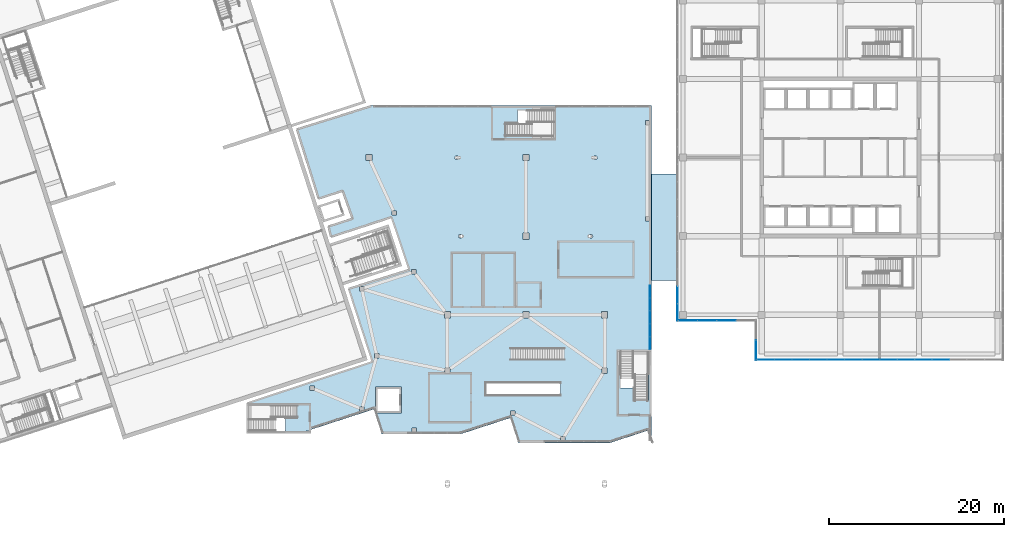
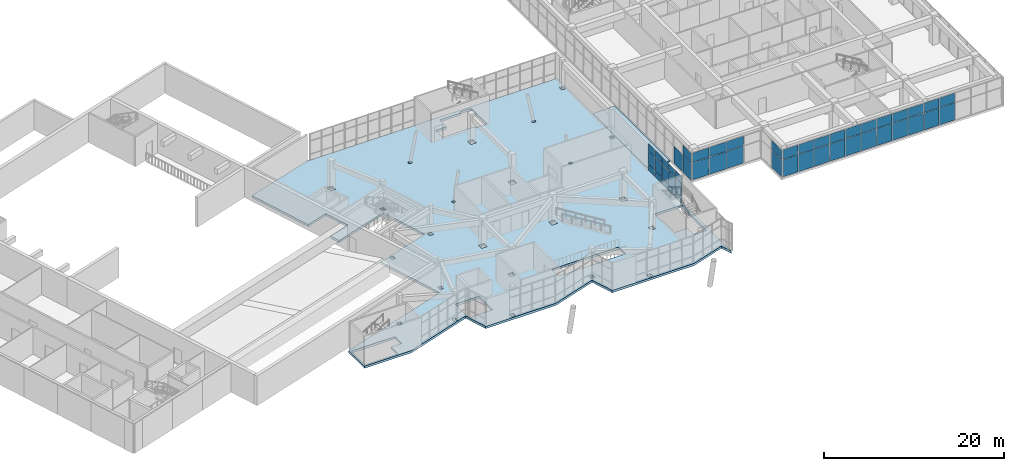
# One storey, part 48 of 66: 48 plates, 2 slabs, 5 elements without a shape of their own.
"""IFC4 building model written with IfcOpenShell, lengths in metres."""

from ifc_helpers import new_model, si_unit, direction, frame, origin, origin_2d, place, context, subcontext, project, spatial, polyline, rectangle, outline, extrude, material, layer, layer_set, type_object, element, aggregate, save


model = new_model("IFC4")

# Units and contexts
model_context = context("Model", 3, precision=1e-05, world=origin(), true_north=direction((0.0, 1.0)))
body_context = subcontext(model_context, "Body", "Model", "MODEL_VIEW")
ifc_project = project(units=[si_unit("LENGTHUNIT", "METRE"), si_unit("AREAUNIT", "SQUARE_METRE"), si_unit("VOLUMEUNIT", "CUBIC_METRE"), si_unit("PLANEANGLEUNIT", "RADIAN"), si_unit("MASSUNIT", "GRAM", prefix="KILO")], contexts=[model_context])

# Site, building, storey
site_placement = place(None, origin())
site = spatial("IfcSite", under=ifc_project, at=site_placement, CompositionType="ELEMENT")
building_placement = place(site_placement, origin())
building = spatial("IfcBuilding", under=site, at=building_placement, Name="Tuart Plaza Theatre", CompositionType="ELEMENT")
storey_placement = place(building_placement, frame((0.0, 0.0, 5.5)))
storey = spatial("IfcBuildingStorey", under=building, at=storey_placement, Name="L01", CompositionType="ELEMENT", Elevation=5.5)

# Curtain wall, plates
ifc_material_1 = material(Name="Aluminium and glass", Category="aluminium")
ifc_layer_1 = layer(ifc_material_1, 0.10009765625)
ifc_layer_set_1 = layer_set([ifc_layer_1], Name="CURTAIN WALL 1500 module")
curtain_wall_type_1 = type_object("IfcCurtainWallType", Name="CURTAIN WALL 1500 module", PredefinedType="NOTDEFINED", material=ifc_layer_set_1)
curtain_wall_1_placement = place(storey_placement, origin())
curtain_wall_1 = element("IfcCurtainWall", 1, at=curtain_wall_1_placement, inside=storey, type_object=curtain_wall_type_1, Name="CW22", PredefinedType="NOTDEFINED")
ifc_material_2 = material(Name="Glass", Category="glass")
ifc_layer_2 = layer(ifc_material_2, 0.028076171875)
ifc_layer_set_2 = layer_set([ifc_layer_2], Name="CURTAIN PANEL double glazed 28")
plate_type_1 = type_object("IfcPlateType", Name="CURTAIN PANEL double glazed 28", PredefinedType="CURTAIN_PANEL", material=ifc_layer_set_2)
plate_1_placement = place(storey_placement, frame((110.212890625, 52.75244140625, 0.0498046875), z_axis=(0.0, 0.0, 1.0), x_axis=(0.0, 1.0, 0.0)))
plate_1 = element("IfcPlate", 2, at=plate_1_placement, type_object=plate_type_1, Name="CW22 panel 1.1", PredefinedType="CURTAIN_PANEL", context=body_context, shape_type="SweptSolid", body=[
    extrude(rectangle(XDim=1.405029296875, YDim=0.028076171875, at=origin_2d()), origin(), (0.0, 0.0, 1.0), 0.824951171875),
])
plate_2_placement = place(storey_placement, frame((110.212890625, 52.75244140625, 0.925048828125), z_axis=(0.0, 0.0, 1.0), x_axis=(0.0, 1.0, 0.0)))
plate_2 = element("IfcPlate", 3, at=plate_2_placement, type_object=plate_type_1, Name="CW22 panel 1.2", PredefinedType="CURTAIN_PANEL", context=body_context, shape_type="SweptSolid", body=[
    extrude(rectangle(XDim=1.405029296875, YDim=0.028076171875, at=origin_2d()), origin(), (0.0, 0.0, 1.0), 1.75),
])
plate_3_placement = place(storey_placement, frame((110.212890625, 52.75244140625, 2.72509765625), z_axis=(0.0, 0.0, 1.0), x_axis=(0.0, 1.0, 0.0)))
plate_3 = element("IfcPlate", 4, at=plate_3_placement, type_object=plate_type_1, Name="CW22 panel 1.3", PredefinedType="CURTAIN_PANEL", context=body_context, shape_type="SweptSolid", body=[
    extrude(rectangle(XDim=1.405029296875, YDim=0.028076171875, at=origin_2d()), origin(), (0.0, 0.0, 1.0), 0.925048828125),
])
plate_4_placement = place(storey_placement, frame((110.212890625, 54.219970703125, 0.0498046875), z_axis=(0.0, 0.0, 1.0), x_axis=(0.0, 1.0, 0.0)))
plate_4 = element("IfcPlate", 5, at=plate_4_placement, type_object=plate_type_1, Name="CW22 panel 2.1", PredefinedType="CURTAIN_PANEL", context=body_context, shape_type="SweptSolid", body=[
    extrude(rectangle(XDim=1.429931640625, YDim=0.028076171875, at=origin_2d()), origin(), (0.0, 0.0, 1.0), 0.824951171875),
])
plate_5_placement = place(storey_placement, frame((110.212890625, 54.219970703125, 0.925048828125), z_axis=(0.0, 0.0, 1.0), x_axis=(0.0, 1.0, 0.0)))
plate_5 = element("IfcPlate", 6, at=plate_5_placement, type_object=plate_type_1, Name="CW22 panel 2.2", PredefinedType="CURTAIN_PANEL", context=body_context, shape_type="SweptSolid", body=[
    extrude(rectangle(XDim=1.429931640625, YDim=0.028076171875, at=origin_2d()), origin(), (0.0, 0.0, 1.0), 1.75),
])
plate_6_placement = place(storey_placement, frame((110.212890625, 54.219970703125, 2.72509765625), z_axis=(0.0, 0.0, 1.0), x_axis=(0.0, 1.0, 0.0)))
plate_6 = element("IfcPlate", 7, at=plate_6_placement, type_object=plate_type_1, Name="CW22 panel 2.3", PredefinedType="CURTAIN_PANEL", context=body_context, shape_type="SweptSolid", body=[
    extrude(rectangle(XDim=1.429931640625, YDim=0.028076171875, at=origin_2d()), origin(), (0.0, 0.0, 1.0), 0.925048828125),
])
plate_7_placement = place(storey_placement, frame((110.212890625, 55.699951171875, 0.0498046875), z_axis=(0.0, 0.0, 1.0), x_axis=(0.0, 1.0, 0.0)))
plate_7 = element("IfcPlate", 8, at=plate_7_placement, type_object=plate_type_1, Name="CW22 panel 3.1", PredefinedType="CURTAIN_PANEL", context=body_context, shape_type="SweptSolid", body=[
    extrude(rectangle(XDim=1.429931640625, YDim=0.028076171875, at=origin_2d()), origin(), (0.0, 0.0, 1.0), 0.824951171875),
])
plate_8_placement = place(storey_placement, frame((110.212890625, 55.699951171875, 0.925048828125), z_axis=(0.0, 0.0, 1.0), x_axis=(0.0, 1.0, 0.0)))
plate_8 = element("IfcPlate", 9, at=plate_8_placement, type_object=plate_type_1, Name="CW22 panel 3.2", PredefinedType="CURTAIN_PANEL", context=body_context, shape_type="SweptSolid", body=[
    extrude(rectangle(XDim=1.429931640625, YDim=0.028076171875, at=origin_2d()), origin(), (0.0, 0.0, 1.0), 1.75),
])
plate_9_placement = place(storey_placement, frame((110.212890625, 55.699951171875, 2.72509765625), z_axis=(0.0, 0.0, 1.0), x_axis=(0.0, 1.0, 0.0)))
plate_9 = element("IfcPlate", 10, at=plate_9_placement, type_object=plate_type_1, Name="CW22 panel 3.3", PredefinedType="CURTAIN_PANEL", context=body_context, shape_type="SweptSolid", body=[
    extrude(rectangle(XDim=1.429931640625, YDim=0.028076171875, at=origin_2d()), origin(), (0.0, 0.0, 1.0), 0.925048828125),
])
plate_10_placement = place(storey_placement, frame((110.212890625, 57.179931640625, 0.0498046875), z_axis=(0.0, 0.0, 1.0), x_axis=(0.0, 1.0, 0.0)))
plate_10 = element("IfcPlate", 11, at=plate_10_placement, type_object=plate_type_1, Name="CW22 panel 4.1", PredefinedType="CURTAIN_PANEL", context=body_context, shape_type="SweptSolid", body=[
    extrude(rectangle(XDim=1.429931640625, YDim=0.028076171875, at=origin_2d()), origin(), (0.0, 0.0, 1.0), 0.824951171875),
])
plate_11_placement = place(storey_placement, frame((110.212890625, 57.179931640625, 0.925048828125), z_axis=(0.0, 0.0, 1.0), x_axis=(0.0, 1.0, 0.0)))
plate_11 = element("IfcPlate", 12, at=plate_11_placement, type_object=plate_type_1, Name="CW22 panel 4.2", PredefinedType="CURTAIN_PANEL", context=body_context, shape_type="SweptSolid", body=[
    extrude(rectangle(XDim=1.429931640625, YDim=0.028076171875, at=origin_2d()), origin(), (0.0, 0.0, 1.0), 1.75),
])
plate_12_placement = place(storey_placement, frame((110.212890625, 57.179931640625, 2.72509765625), z_axis=(0.0, 0.0, 1.0), x_axis=(0.0, 1.0, 0.0)))
plate_12 = element("IfcPlate", 13, at=plate_12_placement, type_object=plate_type_1, Name="CW22 panel 4.3", PredefinedType="CURTAIN_PANEL", context=body_context, shape_type="SweptSolid", body=[
    extrude(rectangle(XDim=1.429931640625, YDim=0.028076171875, at=origin_2d()), origin(), (0.0, 0.0, 1.0), 0.925048828125),
])
plate_13_placement = place(storey_placement, frame((110.212890625, 58.6474609375, 0.0498046875), z_axis=(0.0, 0.0, 1.0), x_axis=(0.0, 1.0, 0.0)))
plate_13 = element("IfcPlate", 14, at=plate_13_placement, type_object=plate_type_1, Name="CW22 panel 5.1", PredefinedType="CURTAIN_PANEL", context=body_context, shape_type="SweptSolid", body=[
    extrude(rectangle(XDim=1.405029296875, YDim=0.028076171875, at=origin_2d()), origin(), (0.0, 0.0, 1.0), 0.824951171875),
])
plate_14_placement = place(storey_placement, frame((110.212890625, 58.6474609375, 0.925048828125), z_axis=(0.0, 0.0, 1.0), x_axis=(0.0, 1.0, 0.0)))
plate_14 = element("IfcPlate", 15, at=plate_14_placement, type_object=plate_type_1, Name="CW22 panel 5.2", PredefinedType="CURTAIN_PANEL", context=body_context, shape_type="SweptSolid", body=[
    extrude(rectangle(XDim=1.405029296875, YDim=0.028076171875, at=origin_2d()), origin(), (0.0, 0.0, 1.0), 1.75),
])
plate_15_placement = place(storey_placement, frame((110.212890625, 58.6474609375, 2.72509765625), z_axis=(0.0, 0.0, 1.0), x_axis=(0.0, 1.0, 0.0)))
plate_15 = element("IfcPlate", 16, at=plate_15_placement, type_object=plate_type_1, Name="CW22 panel 5.3", PredefinedType="CURTAIN_PANEL", context=body_context, shape_type="SweptSolid", body=[
    extrude(rectangle(XDim=1.405029296875, YDim=0.028076171875, at=origin_2d()), origin(), (0.0, 0.0, 1.0), 0.925048828125),
])
aggregate(curtain_wall_1, [plate_1, plate_2, plate_3, plate_4, plate_5, plate_6, plate_7, plate_8, plate_9, plate_10, plate_11, plate_12, plate_13, plate_14, plate_15])

ifc_material_3 = material(Name="Aluminium and glass", Category="aluminium")
ifc_layer_3 = layer(ifc_material_3, 0.10009765625)
ifc_layer_set_3 = layer_set([ifc_layer_3], Name="CURTAIN WALL 2000 module")
curtain_wall_type_2 = type_object("IfcCurtainWallType", Name="CURTAIN WALL 2000 module", PredefinedType="NOTDEFINED", material=ifc_layer_set_3)
curtain_wall_2_placement = place(storey_placement, origin())
curtain_wall_2 = element("IfcCurtainWall", 17, at=curtain_wall_2_placement, inside=storey, type_object=curtain_wall_type_2, Name="CW67", PredefinedType="NOTDEFINED")
plate_16_placement = place(storey_placement, frame((122.35009765625, 51.9375, 0.0498046875), z_axis=(0.0, 0.0, 1.0), x_axis=(0.0, -1.0, 0.0)))
plate_16 = element("IfcPlate", 18, at=plate_16_placement, type_object=plate_type_1, Name="CW67 panel 2.1", PredefinedType="CURTAIN_PANEL", context=body_context, shape_type="SweptSolid", body=[
    extrude(rectangle(XDim=2.27490234375, YDim=0.028076171875, at=origin_2d()), origin(), (0.0, 0.0, 1.0), 2.324951171875),
])
plate_17_placement = place(storey_placement, frame((122.35009765625, 51.9375, 2.425048828125), z_axis=(0.0, 0.0, 1.0), x_axis=(0.0, -1.0, 0.0)))
plate_17 = element("IfcPlate", 19, at=plate_17_placement, type_object=plate_type_1, Name="CW67 panel 2.2", PredefinedType="CURTAIN_PANEL", context=body_context, shape_type="SweptSolid", body=[
    extrude(rectangle(XDim=2.27490234375, YDim=0.028076171875, at=origin_2d()), origin(), (0.0, 0.0, 1.0), 1.27490234375),
])
aggregate(curtain_wall_2, [plate_16, plate_17])

curtain_wall_3_placement = place(storey_placement, origin())
curtain_wall_3 = element("IfcCurtainWall", 20, at=curtain_wall_3_placement, inside=storey, type_object=curtain_wall_type_2, Name="CW68", PredefinedType="NOTDEFINED")
plate_18_placement = place(storey_placement, frame((123.466064453125, 50.85009765625, 0.0498046875), z_axis=(0.0, 0.0, 1.0), x_axis=(1.0, 0.0, 0.0)))
plate_18 = element("IfcPlate", 21, at=plate_18_placement, type_object=plate_type_1, Name="CW68 panel 1.1", PredefinedType="CURTAIN_PANEL", context=body_context, shape_type="SweptSolid", body=[
    extrude(rectangle(XDim=1.93212890625, YDim=0.028076171875, at=origin_2d()), origin(), (0.0, 0.0, 1.0), 2.324951171875),
])
plate_19_placement = place(storey_placement, frame((123.466064453125, 50.85009765625, 2.425048828125), z_axis=(0.0, 0.0, 1.0), x_axis=(1.0, 0.0, 0.0)))
plate_19 = element("IfcPlate", 22, at=plate_19_placement, type_object=plate_type_1, Name="CW68 panel 1.2", PredefinedType="CURTAIN_PANEL", context=body_context, shape_type="SweptSolid", body=[
    extrude(rectangle(XDim=1.93212890625, YDim=0.028076171875, at=origin_2d()), origin(), (0.0, 0.0, 1.0), 1.27490234375),
])
plate_20_placement = place(storey_placement, frame((127.4677734375, 50.85009765625, 0.0498046875), z_axis=(0.0, 0.0, 1.0), x_axis=(1.0, 0.0, 0.0)))
plate_20 = element("IfcPlate", 23, at=plate_20_placement, type_object=plate_type_1, Name="CW68 panel 3.1", PredefinedType="CURTAIN_PANEL", context=body_context, shape_type="SweptSolid", body=[
    extrude(rectangle(XDim=1.95703125, YDim=0.028076171875, at=origin_2d()), origin(), (0.0, 0.0, 1.0), 2.324951171875),
])
plate_21_placement = place(storey_placement, frame((127.4677734375, 50.85009765625, 2.425048828125), z_axis=(0.0, 0.0, 1.0), x_axis=(1.0, 0.0, 0.0)))
plate_21 = element("IfcPlate", 24, at=plate_21_placement, type_object=plate_type_1, Name="CW68 panel 3.2", PredefinedType="CURTAIN_PANEL", context=body_context, shape_type="SweptSolid", body=[
    extrude(rectangle(XDim=1.95703125, YDim=0.028076171875, at=origin_2d()), origin(), (0.0, 0.0, 1.0), 1.27490234375),
])
plate_22_placement = place(storey_placement, frame((129.47509765625, 50.85009765625, 0.0498046875), z_axis=(0.0, 0.0, 1.0), x_axis=(1.0, 0.0, 0.0)))
plate_22 = element("IfcPlate", 25, at=plate_22_placement, type_object=plate_type_1, Name="CW68 panel 4.1", PredefinedType="CURTAIN_PANEL", context=body_context, shape_type="SweptSolid", body=[
    extrude(rectangle(XDim=1.95703125, YDim=0.028076171875, at=origin_2d()), origin(), (0.0, 0.0, 1.0), 2.324951171875),
])
plate_23_placement = place(storey_placement, frame((129.47509765625, 50.85009765625, 2.425048828125), z_axis=(0.0, 0.0, 1.0), x_axis=(1.0, 0.0, 0.0)))
plate_23 = element("IfcPlate", 26, at=plate_23_placement, type_object=plate_type_1, Name="CW68 panel 4.2", PredefinedType="CURTAIN_PANEL", context=body_context, shape_type="SweptSolid", body=[
    extrude(rectangle(XDim=1.95703125, YDim=0.028076171875, at=origin_2d()), origin(), (0.0, 0.0, 1.0), 1.27490234375),
])
plate_24_placement = place(storey_placement, frame((131.482177734375, 50.85009765625, 0.0498046875), z_axis=(0.0, 0.0, 1.0), x_axis=(1.0, 0.0, 0.0)))
plate_24 = element("IfcPlate", 27, at=plate_24_placement, type_object=plate_type_1, Name="CW68 panel 5.1", PredefinedType="CURTAIN_PANEL", context=body_context, shape_type="SweptSolid", body=[
    extrude(rectangle(XDim=1.95703125, YDim=0.028076171875, at=origin_2d()), origin(), (0.0, 0.0, 1.0), 2.324951171875),
])
plate_25_placement = place(storey_placement, frame((131.482177734375, 50.85009765625, 2.425048828125), z_axis=(0.0, 0.0, 1.0), x_axis=(1.0, 0.0, 0.0)))
plate_25 = element("IfcPlate", 28, at=plate_25_placement, type_object=plate_type_1, Name="CW68 panel 5.2", PredefinedType="CURTAIN_PANEL", context=body_context, shape_type="SweptSolid", body=[
    extrude(rectangle(XDim=1.95703125, YDim=0.028076171875, at=origin_2d()), origin(), (0.0, 0.0, 1.0), 1.27490234375),
])
plate_26_placement = place(storey_placement, frame((133.4892578125, 50.85009765625, 0.0498046875), z_axis=(0.0, 0.0, 1.0), x_axis=(1.0, 0.0, 0.0)))
plate_26 = element("IfcPlate", 29, at=plate_26_placement, type_object=plate_type_1, Name="CW68 panel 6.1", PredefinedType="CURTAIN_PANEL", context=body_context, shape_type="SweptSolid", body=[
    extrude(rectangle(XDim=1.95703125, YDim=0.028076171875, at=origin_2d()), origin(), (0.0, 0.0, 1.0), 2.324951171875),
])
plate_27_placement = place(storey_placement, frame((133.4892578125, 50.85009765625, 2.425048828125), z_axis=(0.0, 0.0, 1.0), x_axis=(1.0, 0.0, 0.0)))
plate_27 = element("IfcPlate", 30, at=plate_27_placement, type_object=plate_type_1, Name="CW68 panel 6.2", PredefinedType="CURTAIN_PANEL", context=body_context, shape_type="SweptSolid", body=[
    extrude(rectangle(XDim=1.95703125, YDim=0.028076171875, at=origin_2d()), origin(), (0.0, 0.0, 1.0), 1.27490234375),
])
plate_28_placement = place(storey_placement, frame((135.496337890625, 50.85009765625, 0.0498046875), z_axis=(0.0, 0.0, 1.0), x_axis=(1.0, 0.0, 0.0)))
plate_28 = element("IfcPlate", 31, at=plate_28_placement, type_object=plate_type_1, Name="CW68 panel 7.1", PredefinedType="CURTAIN_PANEL", context=body_context, shape_type="SweptSolid", body=[
    extrude(rectangle(XDim=1.95703125, YDim=0.028076171875, at=origin_2d()), origin(), (0.0, 0.0, 1.0), 2.324951171875),
])
plate_29_placement = place(storey_placement, frame((135.496337890625, 50.85009765625, 2.425048828125), z_axis=(0.0, 0.0, 1.0), x_axis=(1.0, 0.0, 0.0)))
plate_29 = element("IfcPlate", 32, at=plate_29_placement, type_object=plate_type_1, Name="CW68 panel 7.2", PredefinedType="CURTAIN_PANEL", context=body_context, shape_type="SweptSolid", body=[
    extrude(rectangle(XDim=1.95703125, YDim=0.028076171875, at=origin_2d()), origin(), (0.0, 0.0, 1.0), 1.27490234375),
])
plate_30_placement = place(storey_placement, frame((137.503662109375, 50.85009765625, 0.0498046875), z_axis=(0.0, 0.0, 1.0), x_axis=(1.0, 0.0, 0.0)))
plate_30 = element("IfcPlate", 33, at=plate_30_placement, type_object=plate_type_1, Name="CW68 panel 8.1", PredefinedType="CURTAIN_PANEL", context=body_context, shape_type="SweptSolid", body=[
    extrude(rectangle(XDim=1.95703125, YDim=0.028076171875, at=origin_2d()), origin(), (0.0, 0.0, 1.0), 2.324951171875),
])
plate_31_placement = place(storey_placement, frame((137.503662109375, 50.85009765625, 2.425048828125), z_axis=(0.0, 0.0, 1.0), x_axis=(1.0, 0.0, 0.0)))
plate_31 = element("IfcPlate", 34, at=plate_31_placement, type_object=plate_type_1, Name="CW68 panel 8.2", PredefinedType="CURTAIN_PANEL", context=body_context, shape_type="SweptSolid", body=[
    extrude(rectangle(XDim=1.95703125, YDim=0.028076171875, at=origin_2d()), origin(), (0.0, 0.0, 1.0), 1.27490234375),
])
plate_32_placement = place(storey_placement, frame((139.5107421875, 50.85009765625, 0.0498046875), z_axis=(0.0, 0.0, 1.0), x_axis=(1.0, 0.0, 0.0)))
plate_32 = element("IfcPlate", 35, at=plate_32_placement, type_object=plate_type_1, Name="CW68 panel 9.1", PredefinedType="CURTAIN_PANEL", context=body_context, shape_type="SweptSolid", body=[
    extrude(rectangle(XDim=1.95703125, YDim=0.028076171875, at=origin_2d()), origin(), (0.0, 0.0, 1.0), 2.324951171875),
])
plate_33_placement = place(storey_placement, frame((139.5107421875, 50.85009765625, 2.425048828125), z_axis=(0.0, 0.0, 1.0), x_axis=(1.0, 0.0, 0.0)))
plate_33 = element("IfcPlate", 36, at=plate_33_placement, type_object=plate_type_1, Name="CW68 panel 9.2", PredefinedType="CURTAIN_PANEL", context=body_context, shape_type="SweptSolid", body=[
    extrude(rectangle(XDim=1.95703125, YDim=0.028076171875, at=origin_2d()), origin(), (0.0, 0.0, 1.0), 1.27490234375),
])
plate_34_placement = place(storey_placement, frame((141.517822265625, 50.85009765625, 0.0498046875), z_axis=(0.0, 0.0, 1.0), x_axis=(1.0, 0.0, 0.0)))
plate_34 = element("IfcPlate", 37, at=plate_34_placement, type_object=plate_type_1, Name="CW68 panel 10.1", PredefinedType="CURTAIN_PANEL", context=body_context, shape_type="SweptSolid", body=[
    extrude(rectangle(XDim=1.95703125, YDim=0.028076171875, at=origin_2d()), origin(), (0.0, 0.0, 1.0), 2.324951171875),
])
plate_35_placement = place(storey_placement, frame((141.517822265625, 50.85009765625, 2.425048828125), z_axis=(0.0, 0.0, 1.0), x_axis=(1.0, 0.0, 0.0)))
plate_35 = element("IfcPlate", 38, at=plate_35_placement, type_object=plate_type_1, Name="CW68 panel 10.2", PredefinedType="CURTAIN_PANEL", context=body_context, shape_type="SweptSolid", body=[
    extrude(rectangle(XDim=1.95703125, YDim=0.028076171875, at=origin_2d()), origin(), (0.0, 0.0, 1.0), 1.27490234375),
])
plate_36_placement = place(storey_placement, frame((143.52490234375, 50.85009765625, 0.0498046875), z_axis=(0.0, 0.0, 1.0), x_axis=(1.0, 0.0, 0.0)))
plate_36 = element("IfcPlate", 39, at=plate_36_placement, type_object=plate_type_1, Name="CW68 panel 11.1", PredefinedType="CURTAIN_PANEL", context=body_context, shape_type="SweptSolid", body=[
    extrude(rectangle(XDim=1.95703125, YDim=0.028076171875, at=origin_2d()), origin(), (0.0, 0.0, 1.0), 2.324951171875),
])
plate_37_placement = place(storey_placement, frame((143.52490234375, 50.85009765625, 2.425048828125), z_axis=(0.0, 0.0, 1.0), x_axis=(1.0, 0.0, 0.0)))
plate_37 = element("IfcPlate", 40, at=plate_37_placement, type_object=plate_type_1, Name="CW68 panel 11.2", PredefinedType="CURTAIN_PANEL", context=body_context, shape_type="SweptSolid", body=[
    extrude(rectangle(XDim=1.95703125, YDim=0.028076171875, at=origin_2d()), origin(), (0.0, 0.0, 1.0), 1.27490234375),
])

curtain_wall_4_placement = place(storey_placement, origin())
curtain_wall_4 = element("IfcCurtainWall", 41, at=curtain_wall_4_placement, inside=storey, type_object=curtain_wall_type_2, Name="CW73", PredefinedType="NOTDEFINED")
plate_38_placement = place(storey_placement, frame((113.35009765625, 58.25, 0.0498046875), z_axis=(0.0, 0.0, 1.0), x_axis=(0.0, -1.0, 0.0)))
plate_38 = element("IfcPlate", 42, at=plate_38_placement, type_object=plate_type_1, Name="CW73 panel 20.1", PredefinedType="CURTAIN_PANEL", context=body_context, shape_type="SweptSolid", body=[
    extrude(rectangle(XDim=1.949951171875, YDim=0.028076171875, at=origin_2d()), origin(), (0.0, 0.0, 1.0), 2.324951171875),
])
plate_39_placement = place(storey_placement, frame((113.35009765625, 56.262451171875, 0.0498046875), z_axis=(0.0, 0.0, 1.0), x_axis=(0.0, -1.0, 0.0)))
plate_39 = element("IfcPlate", 43, at=plate_39_placement, type_object=plate_type_1, Name="CW73 panel 21.1", PredefinedType="CURTAIN_PANEL", context=body_context, shape_type="SweptSolid", body=[
    extrude(rectangle(XDim=1.925048828125, YDim=0.028076171875, at=origin_2d()), origin(), (0.0, 0.0, 1.0), 2.324951171875),
])
plate_40_placement = place(storey_placement, frame((113.35009765625, 56.262451171875, 2.425048828125), z_axis=(0.0, 0.0, 1.0), x_axis=(0.0, -1.0, 0.0)))
plate_40 = element("IfcPlate", 44, at=plate_40_placement, type_object=plate_type_1, Name="CW73 panel 21.2", PredefinedType="CURTAIN_PANEL", context=body_context, shape_type="SweptSolid", body=[
    extrude(rectangle(XDim=1.925048828125, YDim=0.028076171875, at=origin_2d()), origin(), (0.0, 0.0, 1.0), 1.27490234375),
])
aggregate(curtain_wall_4, [plate_38, plate_39, plate_40])

curtain_wall_5_placement = place(storey_placement, origin())
curtain_wall_5 = element("IfcCurtainWall", 45, at=curtain_wall_5_placement, inside=storey, type_object=curtain_wall_type_2, Name="CW74", PredefinedType="NOTDEFINED")
plate_41_placement = place(storey_placement, frame((114.5625, 55.35009765625, 0.0498046875), z_axis=(0.0, 0.0, 1.0), x_axis=(1.0, 0.0, 0.0)))
plate_41 = element("IfcPlate", 46, at=plate_41_placement, type_object=plate_type_1, Name="CW74 panel 1.1", PredefinedType="CURTAIN_PANEL", context=body_context, shape_type="SweptSolid", body=[
    extrude(rectangle(XDim=2.125, YDim=0.028076171875, at=origin_2d()), origin(), (0.0, 0.0, 1.0), 2.324951171875),
])
plate_42_placement = place(storey_placement, frame((114.5625, 55.35009765625, 2.425048828125), z_axis=(0.0, 0.0, 1.0), x_axis=(1.0, 0.0, 0.0)))
plate_42 = element("IfcPlate", 47, at=plate_42_placement, type_object=plate_type_1, Name="CW74 panel 1.2", PredefinedType="CURTAIN_PANEL", context=body_context, shape_type="SweptSolid", body=[
    extrude(rectangle(XDim=2.125, YDim=0.028076171875, at=origin_2d()), origin(), (0.0, 0.0, 1.0), 1.27490234375),
])
plate_43_placement = place(storey_placement, frame((116.75, 55.35009765625, 0.0498046875), z_axis=(0.0, 0.0, 1.0), x_axis=(1.0, 0.0, 0.0)))
plate_43 = element("IfcPlate", 48, at=plate_43_placement, type_object=plate_type_1, Name="CW74 panel 2.1", PredefinedType="CURTAIN_PANEL", context=body_context, shape_type="SweptSolid", body=[
    extrude(rectangle(XDim=2.14990234375, YDim=0.028076171875, at=origin_2d()), origin(), (0.0, 0.0, 1.0), 2.324951171875),
])
plate_44_placement = place(storey_placement, frame((116.75, 55.35009765625, 2.425048828125), z_axis=(0.0, 0.0, 1.0), x_axis=(1.0, 0.0, 0.0)))
plate_44 = element("IfcPlate", 49, at=plate_44_placement, type_object=plate_type_1, Name="CW74 panel 2.2", PredefinedType="CURTAIN_PANEL", context=body_context, shape_type="SweptSolid", body=[
    extrude(rectangle(XDim=2.14990234375, YDim=0.028076171875, at=origin_2d()), origin(), (0.0, 0.0, 1.0), 1.27490234375),
])
plate_45_placement = place(storey_placement, frame((118.949951171875, 55.35009765625, 0.0498046875), z_axis=(0.0, 0.0, 1.0), x_axis=(1.0, 0.0, 0.0)))
plate_45 = element("IfcPlate", 50, at=plate_45_placement, type_object=plate_type_1, Name="CW74 panel 3.1", PredefinedType="CURTAIN_PANEL", context=body_context, shape_type="SweptSolid", body=[
    extrude(rectangle(XDim=2.14990234375, YDim=0.028076171875, at=origin_2d()), origin(), (0.0, 0.0, 1.0), 2.324951171875),
])
plate_46_placement = place(storey_placement, frame((118.949951171875, 55.35009765625, 2.425048828125), z_axis=(0.0, 0.0, 1.0), x_axis=(1.0, 0.0, 0.0)))
plate_46 = element("IfcPlate", 51, at=plate_46_placement, type_object=plate_type_1, Name="CW74 panel 3.2", PredefinedType="CURTAIN_PANEL", context=body_context, shape_type="SweptSolid", body=[
    extrude(rectangle(XDim=2.14990234375, YDim=0.028076171875, at=origin_2d()), origin(), (0.0, 0.0, 1.0), 1.27490234375),
])
aggregate(curtain_wall_5, [plate_41, plate_42, plate_43, plate_44, plate_45, plate_46])

# Plate
ifc_material_4 = material(Name="Zinc")
ifc_layer_4 = layer(ifc_material_4, 0.028076171875)
ifc_layer_set_4 = layer_set([ifc_layer_4], Name="CURTAIN PANEL zinc 28")
plate_type_2 = type_object("IfcPlateType", Name="CURTAIN PANEL zinc 28", PredefinedType="CURTAIN_PANEL", material=ifc_layer_set_4)
plate_47_placement = place(storey_placement, frame((125.460693359375, 50.85009765625, 0.0498046875), z_axis=(0.0, 0.0, 1.0), x_axis=(1.0, 0.0, 0.0)))
plate_47 = element("IfcPlate", 52, at=plate_47_placement, type_object=plate_type_2, Name="CW68 zinc panel 2.1", PredefinedType="CURTAIN_PANEL", context=body_context, shape_type="SweptSolid", body=[
    extrude(rectangle(XDim=1.95703125, YDim=0.028076171875, at=origin_2d()), origin(), (0.0, 0.0, 1.0), 2.324951171875),
])

plate_48_placement = place(storey_placement, frame((125.460693359375, 50.85009765625, 2.425048828125), z_axis=(0.0, 0.0, 1.0), x_axis=(1.0, 0.0, 0.0)))
plate_48 = element("IfcPlate", 53, at=plate_48_placement, type_object=plate_type_2, Name="CW68 zinc panel 2.2", PredefinedType="CURTAIN_PANEL", context=body_context, shape_type="SweptSolid", body=[
    extrude(rectangle(XDim=1.95703125, YDim=0.028076171875, at=origin_2d()), origin(), (0.0, 0.0, 1.0), 1.27490234375),
])

aggregate(curtain_wall_3, [plate_18, plate_19, plate_47, plate_48, plate_20, plate_21, plate_22, plate_23, plate_24, plate_25, plate_26, plate_27, plate_28, plate_29, plate_30, plate_31, plate_32, plate_33, plate_34, plate_35, plate_36, plate_37])

# Slabs
ifc_material_5 = material(Name="Concrete N40 (40 MPa)", Category="concrete")
ifc_layer_5 = layer(ifc_material_5, 0.300048828125)
ifc_layer_set_5 = layer_set([ifc_layer_5], Name="SLAB Floor 300 Concrete N40 (40 MPa)")
slab_type_1 = type_object("IfcSlabType", Name="SLAB Floor 300 Concrete N40 (40 MPa)", PredefinedType="FLOOR", material=ifc_layer_set_5)
slab_1_placement = place(storey_placement, frame((0.0, 0.0, -0.300048828125)))
element("IfcSlab", 54, at=slab_1_placement, inside=storey, type_object=slab_type_1, Name="S71", PredefinedType="FLOOR", context=body_context, shape_type="SweptSolid", body=[
    extrude(outline(polyline([(78.336669921875, 50.576416015625), (64.0, 45.91796875), (64.0, 42.39990234375), (70.0, 42.39990234375), (78.5595703125, 45.18115234375), (79.486572265625, 42.327880859375), (88.486572265625, 42.327880859375), (94.19287109375, 44.18212890625), (95.119873046875, 41.328857421875), (105.619873046875, 41.328857421875), (109.899658203125, 42.719482421875), (110.36328125, 41.29296875), (110.363037109375, 79.987060546875), (78.24365234375, 79.987060546875), (69.68408203125, 77.205810546875), (72.27978515625, 69.217041015625), (75.0380859375, 70.113037109375), (76.057861328125, 66.974609375), (73.2998046875, 66.07861328125), (73.701416015625, 64.842041015625), (80.64404296875, 67.097900390625), (82.56005859375, 61.201416015625), (75.6171875, 58.945556640625), (78.336669921875, 50.576416015625)]), holes=[polyline([(77.449951171875, 44.949951171875), (77.449951171875, 45.449951171875), (76.949951171875, 45.449951171875), (76.949951171875, 44.949951171875), (77.449951171875, 44.949951171875)]), polyline([(78.75, 44.75), (81.75, 44.75), (81.75, 47.75), (78.75, 47.75), (78.75, 44.75)]), polyline([(76.931640625, 59.2353515625), (76.931640625, 58.7353515625), (77.431640625, 58.7353515625), (77.431640625, 59.2353515625), (76.931640625, 59.2353515625)]), polyline([(110.159912109375, 51.800048828125), (106.60009765625, 51.800048828125), (106.60009765625, 50.22998046875), (106.7548828125, 50.22998046875), (106.7548828125, 47.6201171875), (108.3798828125, 47.6201171875), (108.3798828125, 46.159912109375), (110.0048828125, 46.159912109375), (110.0048828125, 50.22998046875), (110.159912109375, 50.22998046875), (110.159912109375, 51.800048828125)]), polyline([(109.659912109375, 78.25), (109.659912109375, 77.75), (110.159912109375, 77.75), (110.159912109375, 78.25), (109.659912109375, 78.25)]), polyline([(109.659912109375, 67.25), (109.659912109375, 66.75), (110.159912109375, 66.75), (110.159912109375, 67.25), (109.659912109375, 67.25)]), polyline([(104.64990234375, 56.35009765625), (104.64990234375, 55.64990234375), (105.35009765625, 55.64990234375), (105.35009765625, 56.35009765625), (104.64990234375, 56.35009765625)]), polyline([(104.699951171875, 49.89990234375), (104.699951171875, 49.300048828125), (105.300048828125, 49.300048828125), (105.300048828125, 49.89990234375), (104.699951171875, 49.89990234375)]), polyline([(104.10107421875, 74.146484375), (104.022705078125, 74.19140625), (103.929931640625, 74.207275390625), (103.83740234375, 74.19140625), (103.759033203125, 74.146484375), (103.70654296875, 74.079345703125), (103.68798828125, 74.0), (103.70654296875, 73.920654296875), (103.759033203125, 73.853515625), (103.83740234375, 73.80859375), (103.929931640625, 73.792724609375), (104.022705078125, 73.80859375), (104.10107421875, 73.853515625), (104.153564453125, 73.920654296875), (104.171875, 74.0), (104.153564453125, 74.079345703125), (104.10107421875, 74.146484375)]), polyline([(103.584228515625, 65.146484375), (103.509033203125, 65.19140625), (103.42041015625, 65.207275390625), (103.331787109375, 65.19140625), (103.256591796875, 65.146484375), (103.206298828125, 65.079345703125), (103.188720703125, 65.0), (103.206298828125, 64.920654296875), (103.256591796875, 64.853515625), (103.331787109375, 64.80859375), (103.42041015625, 64.792724609375), (103.509033203125, 64.80859375), (103.584228515625, 64.853515625), (103.634521484375, 64.920654296875), (103.652099609375, 65.0), (103.634521484375, 65.079345703125), (103.584228515625, 65.146484375)]), polyline([(99.949951171875, 41.530029296875), (100.449951171875, 41.530029296875), (100.449951171875, 42.030029296875), (99.949951171875, 42.030029296875), (99.949951171875, 41.530029296875)]), polyline([(99.9599609375, 48.25), (91.360107421875, 48.25), (91.360107421875, 46.75), (99.9599609375, 46.75), (99.9599609375, 48.25)]), polyline([(99.199951171875, 79.699951171875), (97.72998046875, 79.699951171875), (97.72998046875, 79.47509765625), (95.02001953125, 79.47509765625), (95.02001953125, 77.949951171875), (93.659912109375, 77.949951171875), (93.659912109375, 76.425048828125), (97.72998046875, 76.425048828125), (97.72998046875, 76.199951171875), (99.199951171875, 76.199951171875), (99.199951171875, 79.699951171875)]), polyline([(95.64990234375, 56.35009765625), (95.64990234375, 55.64990234375), (96.35009765625, 55.64990234375), (96.35009765625, 56.35009765625), (95.64990234375, 56.35009765625)]), polyline([(95.64990234375, 74.35009765625), (95.64990234375, 73.64990234375), (96.35009765625, 73.64990234375), (96.35009765625, 74.35009765625), (95.64990234375, 74.35009765625)]), polyline([(95.64990234375, 64.64990234375), (96.35009765625, 64.64990234375), (96.35009765625, 65.35009765625), (95.64990234375, 65.35009765625), (95.64990234375, 64.64990234375)]), polyline([(94.22998046875, 45.0), (94.22998046875, 44.5), (94.72998046875, 44.5), (94.72998046875, 45.0), (94.22998046875, 45.0)]), polyline([(88.31591796875, 64.853515625), (88.390869140625, 64.80859375), (88.4794921875, 64.792724609375), (88.568115234375, 64.80859375), (88.643310546875, 64.853515625), (88.693603515625, 64.920654296875), (88.711181640625, 65.0), (88.693603515625, 65.079345703125), (88.643310546875, 65.146484375), (88.568115234375, 65.19140625), (88.4794921875, 65.207275390625), (88.390869140625, 65.19140625), (88.31591796875, 65.146484375), (88.265625, 65.079345703125), (88.247802734375, 65.0), (88.265625, 64.920654296875), (88.31591796875, 64.853515625)]), polyline([(87.89892578125, 73.853515625), (87.977294921875, 73.80859375), (88.070068359375, 73.792724609375), (88.16259765625, 73.80859375), (88.240966796875, 73.853515625), (88.29345703125, 73.920654296875), (88.31201171875, 74.0), (88.29345703125, 74.079345703125), (88.240966796875, 74.146484375), (88.16259765625, 74.19140625), (88.070068359375, 74.207275390625), (87.977294921875, 74.19140625), (87.89892578125, 74.146484375), (87.846435546875, 74.079345703125), (87.828125, 74.0), (87.846435546875, 73.920654296875), (87.89892578125, 73.853515625)]), polyline([(86.64990234375, 55.64990234375), (87.35009765625, 55.64990234375), (87.35009765625, 56.35009765625), (86.64990234375, 56.35009765625), (86.64990234375, 55.64990234375)]), polyline([(86.699951171875, 49.89990234375), (86.699951171875, 49.300048828125), (87.300048828125, 49.300048828125), (87.300048828125, 49.89990234375), (86.699951171875, 49.89990234375)]), polyline([(82.949951171875, 42.530029296875), (83.449951171875, 42.530029296875), (83.449951171875, 43.030029296875), (82.949951171875, 43.030029296875), (82.949951171875, 42.530029296875)]), polyline([(82.8798828125, 61.159912109375), (82.8798828125, 60.659912109375), (83.3798828125, 60.659912109375), (83.3798828125, 61.159912109375), (82.8798828125, 61.159912109375)]), polyline([(80.679931640625, 67.909912109375), (80.679931640625, 67.409912109375), (81.179931640625, 67.409912109375), (81.179931640625, 67.909912109375), (80.679931640625, 67.909912109375)]), polyline([(78.64990234375, 51.550048828125), (78.64990234375, 51.050048828125), (79.14990234375, 51.050048828125), (79.14990234375, 51.550048828125), (78.64990234375, 51.550048828125)]), polyline([(77.64990234375, 74.35009765625), (77.64990234375, 73.64990234375), (78.35009765625, 73.64990234375), (78.35009765625, 74.35009765625), (77.64990234375, 74.35009765625)]), polyline([(71.25, 47.85009765625), (71.25, 47.35009765625), (71.75, 47.35009765625), (71.75, 47.85009765625), (71.25, 47.85009765625)]), polyline([(69.7900390625, 44.14990234375), (69.7900390625, 45.64990234375), (64.199951171875, 45.64990234375), (64.199951171875, 42.64990234375), (68.429931640625, 42.64990234375), (68.429931640625, 44.14990234375), (69.7900390625, 44.14990234375)])]), origin(), (0.0, 0.0, 1.0), 0.300048828125),
])
ifc_material_6 = material(Name="Concrete N40 (40 MPa)", Category="concrete")
ifc_layer_6 = layer(ifc_material_6, 0.199951171875)
ifc_layer_set_6 = layer_set([ifc_layer_6], Name="SLAB Roof 200 Concrete N40 (40 MPa)")
slab_type_2 = type_object("IfcSlabType", Name="SLAB Roof 200 Concrete N40 (40 MPa)", PredefinedType="ROOF", material=ifc_layer_set_6)
slab_2_placement = place(storey_placement, frame((0.0, 0.0, -0.199951171875)))
element("IfcSlab", 55, at=slab_2_placement, inside=storey, type_object=slab_type_2, Name="SR15", PredefinedType="ROOF", context=body_context, shape_type="SweptSolid", body=[
    extrude(outline(polyline([(113.22998046875, 59.89990234375), (113.22998046875, 72.10009765625), (110.363037109375, 72.10009765625), (110.363037109375, 59.89990234375), (113.22998046875, 59.89990234375)])), origin(), (0.0, 0.0, 1.0), 0.199951171875),
])

save(model, "model.ifc")
